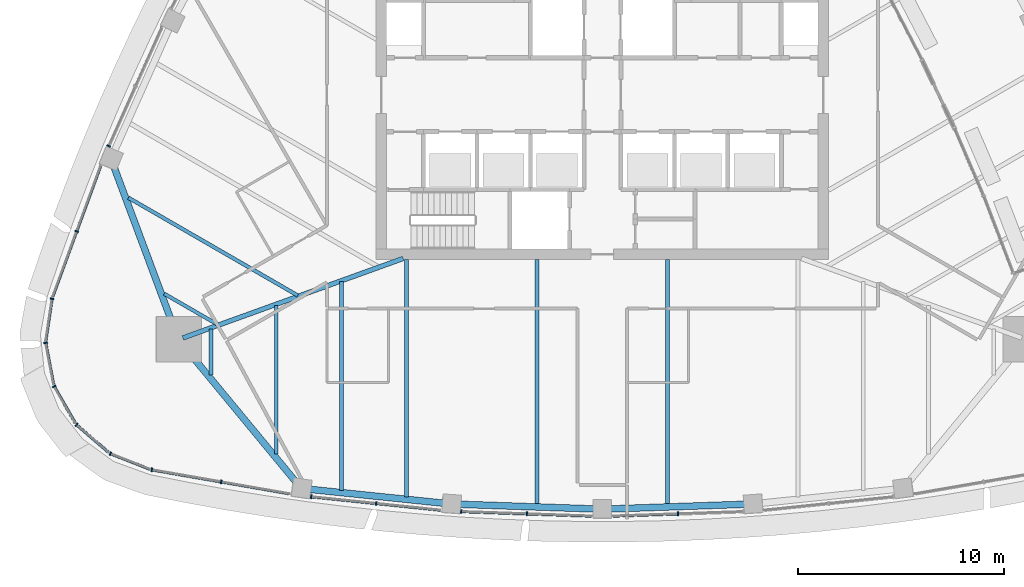
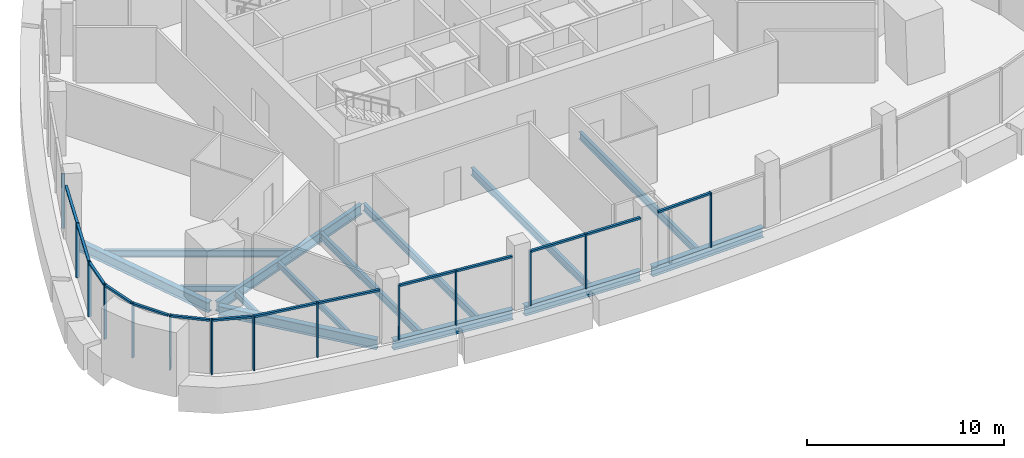
# One storey, part 2 of 18: 28 members, 14 beams, 11 elements without a shape of their own.
"""IFC4 building model written with IfcOpenShell, lengths in metres."""

from ifc_helpers import new_model, si_unit, direction, frame, origin, origin_2d, place, context, subcontext, project, spatial, rectangle, i_section, extrude, material, layer, layer_set, material_profile, profile_set, type_object, element, aggregate, save


model = new_model("IFC4")

# Units and contexts
model_context = context("Model", 3, precision=1e-05, world=origin(), true_north=direction((0.0, 1.0)))
body_context = subcontext(model_context, "Body", "Model", "MODEL_VIEW")
ifc_project = project(units=[si_unit("LENGTHUNIT", "METRE"), si_unit("AREAUNIT", "SQUARE_METRE"), si_unit("VOLUMEUNIT", "CUBIC_METRE"), si_unit("PLANEANGLEUNIT", "RADIAN"), si_unit("MASSUNIT", "GRAM", prefix="KILO")], contexts=[model_context])

# Site, building, storey
site_placement = place(None, origin())
site = spatial("IfcSite", under=ifc_project, at=site_placement, CompositionType="ELEMENT")
building_placement = place(site_placement, origin())
building = spatial("IfcBuilding", under=site, at=building_placement, Name="Sierra Prisma Convention Tower", CompositionType="ELEMENT")
storey_placement = place(building_placement, frame((0.0, 0.0, 291.0)))
storey = spatial("IfcBuildingStorey", under=building, at=storey_placement, Name="L66", CompositionType="ELEMENT", Elevation=291.0)

# Curtain wall, member
ifc_material_1 = material(Name="Aluminium and glass curtain wall", Category="aluminium")
ifc_layer = layer(ifc_material_1, 0.179931640625)
ifc_layer_set = layer_set([ifc_layer], Name="CW-1 Plain shaft curtain wall")
curtain_wall_type = type_object("IfcCurtainWallType", Name="CW-1 Plain shaft curtain wall", PredefinedType="NOTDEFINED", material=ifc_layer_set)
curtain_wall_1_placement = place(storey_placement, origin())
curtain_wall_1 = element("IfcCurtainWall", 1, at=curtain_wall_1_placement, inside=storey, type_object=curtain_wall_type, Name="CW-1 NW5 L66", PredefinedType="NOTDEFINED")
ifc_material_2 = material(Name="Aluminium 6063-T6 bronze anodised", Category="aluminium")
ifc_material_profile_1 = material_profile(ifc_material_2, rectangle(XDim=0.179931640625, YDim=0.070068359375, at=origin_2d()), Name="ALU MULLION 70x180")
ifc_profile_set_1 = profile_set([ifc_material_profile_1], Name="Aluminium 6063-T6 bronze anodised")
member_type_1 = type_object("IfcMemberType", Name="CW mullion bronze", PredefinedType="MULLION", material=ifc_profile_set_1)
member_1_placement = place(storey_placement, frame((-24.01171875, -2.49169921875, 0.0), z_axis=(0.0, 0.0, 1.0), x_axis=(0.912943253598, -0.408086529685, 0.0)))
member_1 = element("IfcMember", 2, at=member_1_placement, type_object=member_type_1, Name="CW-1 mullion NW5.3", PredefinedType="MULLION", context=body_context, shape_type="SweptSolid", body=[
    extrude(rectangle(XDim=0.179931640625, YDim=0.070068359375, at=origin_2d()), origin(), (0.0, 0.0, 1.0), 3.39990234375),
])
aggregate(curtain_wall_1, [member_1])

curtain_wall_2_placement = place(storey_placement, origin())
curtain_wall_2 = element("IfcCurtainWall", 3, at=curtain_wall_2_placement, inside=storey, type_object=curtain_wall_type, Name="CW-1 NW6 L66", PredefinedType="NOTDEFINED")
member_2_placement = place(storey_placement, frame((-25.5732421875, -6.6435546875, 0.0), z_axis=(0.0, 0.0, 1.0), x_axis=(0.938847191103, -0.344334069994, 0.0)))
member_2 = element("IfcMember", 4, at=member_2_placement, type_object=member_type_1, Name="CW-1 mullion NW6.2", PredefinedType="MULLION", context=body_context, shape_type="SweptSolid", body=[
    extrude(rectangle(XDim=0.179931640625, YDim=0.070068359375, at=origin_2d()), origin(), (0.0, 0.0, 1.0), 3.39990234375),
])

curtain_wall_3_placement = place(storey_placement, origin())
curtain_wall_3 = element("IfcCurtainWall", 5, at=curtain_wall_3_placement, inside=storey, type_object=curtain_wall_type, Name="CW-1 SW1 L66", PredefinedType="NOTDEFINED")
member_3_placement = place(storey_placement, frame((-26.769287109375, -9.925048828125, 0.0), z_axis=(0.0, 0.0, 1.0), x_axis=(0.988924081078, -0.14842224181, 0.0)))
member_3 = element("IfcMember", 6, at=member_3_placement, type_object=member_type_1, Name="CW-1 mullion SW1.1", PredefinedType="MULLION", context=body_context, shape_type="SweptSolid", body=[
    extrude(rectangle(XDim=0.179931640625, YDim=0.070068359375, at=origin_2d()), origin(), (0.0, 0.0, 1.0), 3.39990234375),
])

curtain_wall_4_placement = place(storey_placement, origin())
curtain_wall_4 = element("IfcCurtainWall", 7, at=curtain_wall_4_placement, inside=storey, type_object=curtain_wall_type, Name="CW-1 SW2 L66", PredefinedType="NOTDEFINED")
member_4_placement = place(storey_placement, frame((-27.07861328125, -12.064453125, 0.0), z_axis=(0.0, 0.0, 1.0), x_axis=(0.982508141831, 0.186219631717, 0.0)))
member_4 = element("IfcMember", 8, at=member_4_placement, type_object=member_type_1, Name="CW-1 mullion SW2.1", PredefinedType="MULLION", context=body_context, shape_type="SweptSolid", body=[
    extrude(rectangle(XDim=0.179931640625, YDim=0.070068359375, at=origin_2d()), origin(), (0.0, 0.0, 1.0), 3.39990234375),
])

curtain_wall_5_placement = place(storey_placement, origin())
curtain_wall_5 = element("IfcCurtainWall", 9, at=curtain_wall_5_placement, inside=storey, type_object=curtain_wall_type, Name="CW-1 SW3 L66", PredefinedType="NOTDEFINED")
member_5_placement = place(storey_placement, frame((-26.664794921875, -14.186279296875, 0.0), z_axis=(0.0, 0.0, 1.0), x_axis=(0.866025403784, 0.5, 0.0)))
member_5 = element("IfcMember", 10, at=member_5_placement, type_object=member_type_1, Name="CW-1 mullion SW3.1", PredefinedType="MULLION", context=body_context, shape_type="SweptSolid", body=[
    extrude(rectangle(XDim=0.179931640625, YDim=0.070068359375, at=origin_2d()), origin(), (0.0, 0.0, 1.0), 3.39990234375),
])

curtain_wall_6_placement = place(storey_placement, origin())
curtain_wall_6 = element("IfcCurtainWall", 11, at=curtain_wall_6_placement, inside=storey, type_object=curtain_wall_type, Name="CW-1 SW4 L66", PredefinedType="NOTDEFINED")
member_6_placement = place(storey_placement, frame((-25.573974609375, -16.052490234375, 0.0), z_axis=(0.0, 0.0, 1.0), x_axis=(0.652525002665, 0.757767194392, 0.0)))
member_6 = element("IfcMember", 12, at=member_6_placement, type_object=member_type_1, Name="CW-1 mullion SW4.1", PredefinedType="MULLION", context=body_context, shape_type="SweptSolid", body=[
    extrude(rectangle(XDim=0.179931640625, YDim=0.070068359375, at=origin_2d()), origin(), (0.0, 0.0, 1.0), 3.39990234375),
])

curtain_wall_7_placement = place(storey_placement, origin())
curtain_wall_7 = element("IfcCurtainWall", 13, at=curtain_wall_7_placement, inside=storey, type_object=curtain_wall_type, Name="CW-1 SW5 L66", PredefinedType="NOTDEFINED")
member_7_placement = place(storey_placement, frame((-23.928466796875, -17.454345703125, 0.0), z_axis=(0.0, 0.0, 1.0), x_axis=(0.365924608645, 0.930644497533, 0.0)))
member_7 = element("IfcMember", 14, at=member_7_placement, type_object=member_type_1, Name="CW-1 mullion SW5.1", PredefinedType="MULLION", context=body_context, shape_type="SweptSolid", body=[
    extrude(rectangle(XDim=0.179931640625, YDim=0.070068359375, at=origin_2d()), origin(), (0.0, 0.0, 1.0), 3.39990234375),
])

# Curtain wall, members
curtain_wall_8_placement = place(storey_placement, origin())
curtain_wall_8 = element("IfcCurtainWall", 15, at=curtain_wall_8_placement, inside=storey, type_object=curtain_wall_type, Name="CW-1 S1 L66", PredefinedType="NOTDEFINED")
member_8_placement = place(storey_placement, frame((-21.912841796875, -18.2392578125, 0.0), z_axis=(0.0, 0.0, 1.0), x_axis=(0.171221543548, 0.985232552764, 0.0)))
member_8 = element("IfcMember", 16, at=member_8_placement, type_object=member_type_1, Name="CW-1 mullion S1.1", PredefinedType="MULLION", context=body_context, shape_type="SweptSolid", body=[
    extrude(rectangle(XDim=0.179931640625, YDim=0.070068359375, at=origin_2d()), origin(), (0.0, 0.0, 1.0), 3.39990234375),
])
member_9_placement = place(storey_placement, frame((-18.540283203125, -18.8251953125, 0.0), z_axis=(0.0, 0.0, 1.0), x_axis=(0.171221543548, 0.985232552764, 0.0)))
member_9 = element("IfcMember", 17, at=member_9_placement, type_object=member_type_1, Name="CW-1 mullion S1.2", PredefinedType="MULLION", context=body_context, shape_type="SweptSolid", body=[
    extrude(rectangle(XDim=0.179931640625, YDim=0.070068359375, at=origin_2d()), origin(), (0.0, 0.0, 1.0), 3.39990234375),
])

curtain_wall_9_placement = place(storey_placement, origin())
curtain_wall_9 = element("IfcCurtainWall", 18, at=curtain_wall_9_placement, inside=storey, type_object=curtain_wall_type, Name="CW-1 S2 L66", PredefinedType="NOTDEFINED")
member_10_placement = place(storey_placement, frame((-14.163818359375, -19.549072265625, 0.0), z_axis=(0.0, 0.0, 1.0), x_axis=(0.10305832515, 0.994675314672, 0.0)))
member_10 = element("IfcMember", 19, at=member_10_placement, type_object=member_type_1, Name="CW-1 mullion S2.1", PredefinedType="MULLION", context=body_context, shape_type="SweptSolid", body=[
    extrude(rectangle(XDim=0.179931640625, YDim=0.070068359375, at=origin_2d()), origin(), (0.0, 0.0, 1.0), 3.39990234375),
])
member_11_placement = place(storey_placement, frame((-11.004150390625, -19.876220703125, 0.0), z_axis=(0.0, 0.0, 1.0), x_axis=(0.10305832515, 0.994675314672, 0.0)))
member_11 = element("IfcMember", 20, at=member_11_placement, type_object=member_type_1, Name="CW-1 mullion S2.2", PredefinedType="MULLION", context=body_context, shape_type="SweptSolid", body=[
    extrude(rectangle(XDim=0.179931640625, YDim=0.070068359375, at=origin_2d()), origin(), (0.0, 0.0, 1.0), 3.39990234375),
])

curtain_wall_10_placement = place(storey_placement, origin())
curtain_wall_10 = element("IfcCurtainWall", 21, at=curtain_wall_10_placement, inside=storey, type_object=curtain_wall_type, Name="CW-1 S3 L66", PredefinedType="NOTDEFINED")
member_12_placement = place(storey_placement, frame((-6.865478515625, -20.270751953125, 0.0), z_axis=(0.0, 0.0, 1.0), x_axis=(0.03440708538, 0.999407900947, 0.0)))
member_12 = element("IfcMember", 22, at=member_12_placement, type_object=member_type_1, Name="CW-1 mullion S3.1", PredefinedType="MULLION", context=body_context, shape_type="SweptSolid", body=[
    extrude(rectangle(XDim=0.179931640625, YDim=0.070068359375, at=origin_2d()), origin(), (0.0, 0.0, 1.0), 3.39990234375),
])
member_13_placement = place(storey_placement, frame((-3.675048828125, -20.380615234375, 0.0), z_axis=(0.0, 0.0, 1.0), x_axis=(0.03440708538, 0.999407900947, 0.0)))
member_13 = element("IfcMember", 23, at=member_13_placement, type_object=member_type_1, Name="CW-1 mullion S3.2", PredefinedType="MULLION", context=body_context, shape_type="SweptSolid", body=[
    extrude(rectangle(XDim=0.179931640625, YDim=0.070068359375, at=origin_2d()), origin(), (0.0, 0.0, 1.0), 3.39990234375),
])

# Curtain wall, member
curtain_wall_11_placement = place(storey_placement, origin())
curtain_wall_11 = element("IfcCurtainWall", 24, at=curtain_wall_11_placement, inside=storey, type_object=curtain_wall_type, Name="CW-1 S4 L66", PredefinedType="NOTDEFINED")
member_14_placement = place(storey_placement, frame((3.675048828125, -20.380615234375, 0.0), z_axis=(0.0, 0.0, 1.0), x_axis=(-0.03440708538, 0.999407900947, 0.0)))
member_14 = element("IfcMember", 25, at=member_14_placement, type_object=member_type_1, Name="CW-1 mullion S4.2", PredefinedType="MULLION", context=body_context, shape_type="SweptSolid", body=[
    extrude(rectangle(XDim=0.179931640625, YDim=0.070068359375, at=origin_2d()), origin(), (0.0, 0.0, 1.0), 3.39990234375),
])

# Member
ifc_material_3 = material(Name="Aluminium 6063-T6 bronze anodised", Category="aluminium")
ifc_material_profile_2 = material_profile(ifc_material_3, rectangle(XDim=0.139892578125, YDim=0.1201171875, at=origin_2d()), Name="ALU TRANSOM 120x140")
ifc_profile_set_2 = profile_set([ifc_material_profile_2], Name="Aluminium 6063-T6 bronze anodised")
member_type_2 = type_object("IfcMemberType", Name="CW transom bronze", PredefinedType="USERDEFINED", material=ifc_profile_set_2)
member_15_placement = place(storey_placement, frame((-24.406494140625, -3.462646484375, 3.340087890625), z_axis=(-0.344372305489, -0.938833166868, 0.0), x_axis=(0.938833166868, -0.344372305489, 0.0)))
member_15 = element("IfcMember", 26, at=member_15_placement, type_object=member_type_2, Name="CW-1 transom NW6.1", ObjectType="TRANSOM", PredefinedType="USERDEFINED", context=body_context, shape_type="SweptSolid", body=[
    extrude(rectangle(XDim=0.139892578125, YDim=0.1201171875, at=origin_2d()), origin(), (0.0, 0.0, 1.0), 3.353271484375),
])

member_16_placement = place(storey_placement, frame((-25.58544921875, -6.676513671875, 3.340087890625), z_axis=(-0.34430813132, -0.938856704033, 0.0), x_axis=(0.938856704033, -0.34430813132, 0.0)))
member_16 = element("IfcMember", 27, at=member_16_placement, type_object=member_type_2, Name="CW-1 transom NW6.2", ObjectType="TRANSOM", PredefinedType="USERDEFINED", context=body_context, shape_type="SweptSolid", body=[
    extrude(rectangle(XDim=0.139892578125, YDim=0.1201171875, at=origin_2d()), origin(), (0.0, 0.0, 1.0), 3.353271484375),
])

aggregate(curtain_wall_2, [member_2, member_15, member_16])

member_17_placement = place(storey_placement, frame((-26.7744140625, -9.959716796875, 3.340087890625), z_axis=(-0.148511533694, -0.988910675622, 0.0), x_axis=(0.988910675622, -0.148511533694, 0.0)))
member_17 = element("IfcMember", 28, at=member_17_placement, type_object=member_type_2, Name="CW-1 transom SW1.1", ObjectType="TRANSOM", PredefinedType="USERDEFINED", context=body_context, shape_type="SweptSolid", body=[
    extrude(rectangle(XDim=0.139892578125, YDim=0.1201171875, at=origin_2d()), origin(), (0.0, 0.0, 1.0), 2.023681640625),
])

aggregate(curtain_wall_3, [member_3, member_17])

member_18_placement = place(storey_placement, frame((-27.072265625, -12.098876953125, 3.340087890625), z_axis=(0.186269401314, -0.982498707447, 0.0), x_axis=(0.982498707447, 0.186269401314, 0.0)))
member_18 = element("IfcMember", 29, at=member_18_placement, type_object=member_type_2, Name="CW-1 transom SW2.1", ObjectType="TRANSOM", PredefinedType="USERDEFINED", context=body_context, shape_type="SweptSolid", body=[
    extrude(rectangle(XDim=0.139892578125, YDim=0.1201171875, at=origin_2d()), origin(), (0.0, 0.0, 1.0), 2.023681640625),
])

aggregate(curtain_wall_4, [member_4, member_18])

member_19_placement = place(storey_placement, frame((-26.647216796875, -14.216552734375, 3.340087890625), z_axis=(0.499980071345, -0.866036909293, 0.0), x_axis=(0.866036909293, 0.499980071345, 0.0)))
member_19 = element("IfcMember", 30, at=member_19_placement, type_object=member_type_2, Name="CW-1 transom SW3.1", ObjectType="TRANSOM", PredefinedType="USERDEFINED", context=body_context, shape_type="SweptSolid", body=[
    extrude(rectangle(XDim=0.139892578125, YDim=0.1201171875, at=origin_2d()), origin(), (0.0, 0.0, 1.0), 2.0234375),
])

aggregate(curtain_wall_5, [member_5, member_19])

member_20_placement = place(storey_placement, frame((-25.54736328125, -16.0751953125, 3.340087890625), z_axis=(0.757695882419, -0.652607807007, 0.0), x_axis=(0.652607807007, 0.757695882419, 0.0)))
member_20 = element("IfcMember", 31, at=member_20_placement, type_object=member_type_2, Name="CW-1 transom SW4.1", ObjectType="TRANSOM", PredefinedType="USERDEFINED", context=body_context, shape_type="SweptSolid", body=[
    extrude(rectangle(XDim=0.139892578125, YDim=0.1201171875, at=origin_2d()), origin(), (0.0, 0.0, 1.0), 2.0234375),
])

aggregate(curtain_wall_6, [member_6, member_20])

member_21_placement = place(storey_placement, frame((-23.895751953125, -17.467041015625, 3.340087890625), z_axis=(0.930632653175, -0.365954730595, 0.0), x_axis=(0.365954730595, 0.930632653175, 0.0)))
member_21 = element("IfcMember", 32, at=member_21_placement, type_object=member_type_2, Name="CW-1 transom SW5.1", ObjectType="TRANSOM", PredefinedType="USERDEFINED", context=body_context, shape_type="SweptSolid", body=[
    extrude(rectangle(XDim=0.139892578125, YDim=0.1201171875, at=origin_2d()), origin(), (0.0, 0.0, 1.0), 2.0234375),
])

aggregate(curtain_wall_7, [member_7, member_21])

member_22_placement = place(storey_placement, frame((-21.87841796875, -18.2451171875, 3.340087890625), z_axis=(0.985228849618, -0.171242850599, 0.0), x_axis=(0.171242850599, 0.985228849618, 0.0)))
member_22 = element("IfcMember", 33, at=member_22_placement, type_object=member_type_2, Name="CW-1 transom S1.1", ObjectType="TRANSOM", PredefinedType="USERDEFINED", context=body_context, shape_type="SweptSolid", body=[
    extrude(rectangle(XDim=0.139892578125, YDim=0.1201171875, at=origin_2d()), origin(), (0.0, 0.0, 1.0), 3.353271484375),
])

member_23_placement = place(storey_placement, frame((-18.505615234375, -18.831298828125, 3.340087890625), z_axis=(0.985228849618, -0.171242850599, 0.0), x_axis=(0.171242850599, 0.985228849618, 0.0)))
member_23 = element("IfcMember", 34, at=member_23_placement, type_object=member_type_2, Name="CW-1 transom S1.2", ObjectType="TRANSOM", PredefinedType="USERDEFINED", context=body_context, shape_type="SweptSolid", body=[
    extrude(rectangle(XDim=0.139892578125, YDim=0.1201171875, at=origin_2d()), origin(), (0.0, 0.0, 1.0), 3.353271484375),
])

aggregate(curtain_wall_8, [member_8, member_9, member_22, member_23])

member_24_placement = place(storey_placement, frame((-14.12890625, -19.552490234375, 3.340087890625), z_axis=(0.994669579808, -0.103113660612, 0.0), x_axis=(0.103113660612, 0.994669579808, 0.0)))
member_24 = element("IfcMember", 35, at=member_24_placement, type_object=member_type_2, Name="CW-1 transom S2.1", ObjectType="TRANSOM", PredefinedType="USERDEFINED", context=body_context, shape_type="SweptSolid", body=[
    extrude(rectangle(XDim=0.139892578125, YDim=0.1201171875, at=origin_2d()), origin(), (0.0, 0.0, 1.0), 3.1064453125),
])

member_25_placement = place(storey_placement, frame((-10.969482421875, -19.8798828125, 3.340087890625), z_axis=(0.994670415341, -0.103105600453, 0.0), x_axis=(0.103105600453, 0.994670415341, 0.0)))
member_25 = element("IfcMember", 36, at=member_25_placement, type_object=member_type_2, Name="CW-1 transom S2.2", ObjectType="TRANSOM", PredefinedType="USERDEFINED", context=body_context, shape_type="SweptSolid", body=[
    extrude(rectangle(XDim=0.139892578125, YDim=0.1201171875, at=origin_2d()), origin(), (0.0, 0.0, 1.0), 3.106689453125),
])

aggregate(curtain_wall_9, [member_10, member_11, member_24, member_25])

member_26_placement = place(storey_placement, frame((-6.83056640625, -20.27197265625, 3.340087890625), z_axis=(0.999408040533, -0.034403030655, 0.0), x_axis=(0.034403030655, 0.999408040533, 0.0)))
member_26 = element("IfcMember", 37, at=member_26_placement, type_object=member_type_2, Name="CW-1 transom S3.1", ObjectType="TRANSOM", PredefinedType="USERDEFINED", context=body_context, shape_type="SweptSolid", body=[
    extrude(rectangle(XDim=0.139892578125, YDim=0.1201171875, at=origin_2d()), origin(), (0.0, 0.0, 1.0), 3.12255859375),
])

member_27_placement = place(storey_placement, frame((-3.64013671875, -20.3818359375, 3.340087890625), z_axis=(0.99940794798, -0.034405719201, 0.0), x_axis=(0.034405719201, 0.99940794798, 0.0)))
member_27 = element("IfcMember", 38, at=member_27_placement, type_object=member_type_2, Name="CW-1 transom S3.2", ObjectType="TRANSOM", PredefinedType="USERDEFINED", context=body_context, shape_type="SweptSolid", body=[
    extrude(rectangle(XDim=0.139892578125, YDim=0.1201171875, at=origin_2d()), origin(), (0.0, 0.0, 1.0), 3.122314453125),
])

aggregate(curtain_wall_10, [member_12, member_13, member_26, member_27])

member_28_placement = place(storey_placement, frame((0.519775390625, -20.4892578125, 3.340087890625), z_axis=(0.99940794798, 0.034405719201, 0.0), x_axis=(-0.034405719201, 0.99940794798, 0.0)))
member_28 = element("IfcMember", 39, at=member_28_placement, type_object=member_type_2, Name="CW-1 transom S4.1", ObjectType="TRANSOM", PredefinedType="USERDEFINED", context=body_context, shape_type="SweptSolid", body=[
    extrude(rectangle(XDim=0.139892578125, YDim=0.1201171875, at=origin_2d()), origin(), (0.0, 0.0, 1.0), 3.122314453125),
])

aggregate(curtain_wall_11, [member_14, member_28])

# Beams
ifc_material_4 = material(Name="Steel ASTM A992 Gr 50", Category="steel")
ifc_material_profile_3 = material_profile(ifc_material_4, i_section(OverallWidth=0.172119140625, OverallDepth=0.35791015625, WebThickness=0.0078125, FlangeThickness=0.01318359375, at=origin_2d()), Name="W360x57")
ifc_profile_set_3 = profile_set([ifc_material_profile_3], Name="Steel ASTM A992 Gr 50")
beam_type_1 = type_object("IfcBeamType", Name="Floor joist W360x57", PredefinedType="JOIST", material=ifc_profile_set_3)
beam_1_placement = place(storey_placement, frame((-19.035888671875, -13.621826171875, -0.3291015625), z_axis=(0.0, 1.0, 0.0), x_axis=(-1.0, 0.0, 0.0)))
element("IfcBeam", 40, at=beam_1_placement, inside=storey, type_object=beam_type_1, Name="Floor joist L66 S01", PredefinedType="JOIST", context=body_context, shape_type="SweptSolid", body=[
    extrude(i_section(OverallWidth=0.172119140625, OverallDepth=0.35791015625, WebThickness=0.0078125, FlangeThickness=0.01318359375, at=origin_2d()), origin(), (0.0, 0.0, 1.0), 2.2392578125),
])
beam_2_placement = place(storey_placement, frame((-15.86328125, -17.46337890625, -0.3291015625), z_axis=(0.0, 1.0, 0.0), x_axis=(-1.0, 0.0, 0.0)))
element("IfcBeam", 41, at=beam_2_placement, inside=storey, type_object=beam_type_1, Name="Floor joist L66 S02", PredefinedType="JOIST", context=body_context, shape_type="SweptSolid", body=[
    extrude(i_section(OverallWidth=0.172119140625, OverallDepth=0.35791015625, WebThickness=0.0078125, FlangeThickness=0.01318359375, at=origin_2d()), origin(), (0.0, 0.0, 1.0), 7.22607421875),
])
beam_3_placement = place(storey_placement, frame((-21.314697265625, -9.674560546875, -0.3291015625), z_axis=(0.866021254674, -0.500007186402, 0.0), x_axis=(0.500007186402, 0.866021254674, 0.0)))
element("IfcBeam", 42, at=beam_3_placement, inside=storey, type_object=beam_type_1, Name="Floor joist L66 NW13", PredefinedType="JOIST", context=body_context, shape_type="SweptSolid", body=[
    extrude(i_section(OverallWidth=0.172119140625, OverallDepth=0.35791015625, WebThickness=0.0078125, FlangeThickness=0.01318359375, at=origin_2d()), origin(), (0.0, 0.0, 1.0), 2.99365234375),
])
ifc_material_5 = material(Name="Steel ASTM A992 Gr 50", Category="steel")
ifc_material_profile_4 = material_profile(ifc_material_5, i_section(OverallWidth=0.177978515625, OverallDepth=0.406982421875, WebThickness=0.0078125, FlangeThickness=0.0126953125, at=origin_2d()), Name="W410x60")
ifc_profile_set_4 = profile_set([ifc_material_profile_4], Name="Steel ASTM A992 Gr 50")
beam_type_2 = type_object("IfcBeamType", Name="Floor joist W410x60", PredefinedType="JOIST", material=ifc_profile_set_4)
beam_4_placement = place(storey_placement, frame((-23.055419921875, -5.006103515625, -0.353515625), z_axis=(0.866024879027, -0.500000908906, 0.0), x_axis=(0.500000908906, 0.866024879027, 0.0)))
element("IfcBeam", 43, at=beam_4_placement, inside=storey, type_object=beam_type_2, Name="Floor joist L66 NW12", PredefinedType="JOIST", context=body_context, shape_type="SweptSolid", body=[
    extrude(i_section(OverallWidth=0.177978515625, OverallDepth=0.406982421875, WebThickness=0.0078125, FlangeThickness=0.0126953125, at=origin_2d()), origin(), (0.0, 0.0, 1.0), 9.51220703125),
])
ifc_material_6 = material(Name="Steel ASTM A992 Gr 50", Category="steel")
ifc_material_profile_5 = material_profile(ifc_material_6, i_section(OverallWidth=0.18994140625, OverallDepth=0.45703125, WebThickness=0.009033203125, FlangeThickness=0.014404296875, at=origin_2d()), Name="W460x74")
ifc_profile_set_5 = profile_set([ifc_material_profile_5], Name="Steel ASTM A992 Gr 50")
beam_type_3 = type_object("IfcBeamType", Name="Floor joist W460x74", PredefinedType="JOIST", material=ifc_profile_set_5)
beam_5_placement = place(storey_placement, frame((-12.6904296875, -19.236572265625, -0.37841796875), z_axis=(0.0, 1.0, 0.0), x_axis=(-1.0, 0.0, 0.0)))
element("IfcBeam", 44, at=beam_5_placement, inside=storey, type_object=beam_type_3, Name="Floor joist L66 S03", PredefinedType="JOIST", context=body_context, shape_type="SweptSolid", body=[
    extrude(i_section(OverallWidth=0.18994140625, OverallDepth=0.45703125, WebThickness=0.009033203125, FlangeThickness=0.014404296875, at=origin_2d()), origin(), (0.0, 0.0, 1.0), 10.144287109375),
])
beam_6_placement = place(storey_placement, frame((-9.517822265625, -19.565185546875, -0.37841796875), z_axis=(0.0, 1.0, 0.0), x_axis=(-1.0, 0.0, 0.0)))
element("IfcBeam", 45, at=beam_6_placement, inside=storey, type_object=beam_type_3, Name="Floor joist L66 S04", PredefinedType="JOIST", context=body_context, shape_type="SweptSolid", body=[
    extrude(i_section(OverallWidth=0.18994140625, OverallDepth=0.45703125, WebThickness=0.009033203125, FlangeThickness=0.014404296875, at=origin_2d()), origin(), (0.0, 0.0, 1.0), 11.565185546875),
])
for number, where, z_axis, x_axis, name in (
    (46, (-3.172607421875, -19.935302734375, -0.37841796875), (0.0, 1.0, 0.0), (-1.0, 0.0, 0.0), "Floor joist L66 S06"),
    (47, (3.172607421875, -19.935302734375, -0.37841796875), (0.0, 1.0, 0.0), (-1.0, 0.0, 0.0), "Floor joist L66 S08"),
):
    element("IfcBeam", number, at=place(storey_placement, frame(where, z_axis=z_axis, x_axis=x_axis)), inside=storey, type_object=beam_type_3, Name=name, PredefinedType="JOIST", context=body_context, shape_type="SweptSolid", body=[
        extrude(i_section(OverallWidth=0.18994140625, OverallDepth=0.45703125, WebThickness=0.009033203125, FlangeThickness=0.014404296875, at=origin_2d()), origin(), (0.0, 0.0, 1.0), 11.935302734375),
    ])
ifc_material_7 = material(Name="Steel ASTM A992 Gr 50", Category="steel")
ifc_material_profile_6 = material_profile(ifc_material_7, i_section(OverallWidth=0.22998046875, OverallDepth=0.616943359375, WebThickness=0.01318359375, FlangeThickness=0.022216796875, at=origin_2d()), Name="W610x140")
ifc_profile_set_6 = profile_set([ifc_material_profile_6], Name="Steel ASTM A992 Gr 50")
beam_type_4 = type_object("IfcBeamType", Name="Radial girder W610x140", PredefinedType="BEAM", material=ifc_profile_set_6)
beam_7_placement = place(storey_placement, frame((-20.402099609375, -11.826904296875, -0.45849609375), z_axis=(0.940600483911, 0.339515433619, 0.0), x_axis=(-0.339515433619, 0.940600483911, 0.0)))
element("IfcBeam", 48, at=beam_7_placement, inside=storey, type_object=beam_type_4, Name="Radial girder L66 SW", PredefinedType="BEAM", context=body_context, shape_type="SweptSolid", body=[
    extrude(i_section(OverallWidth=0.22998046875, OverallDepth=0.616943359375, WebThickness=0.01318359375, FlangeThickness=0.022216796875, at=origin_2d()), origin(), (0.0, 0.0, 1.0), 11.391845703125),
])
ifc_material_8 = material(Name="Steel ASTM A992 Gr 50", Category="steel")
ifc_material_profile_7 = material_profile(ifc_material_8, i_section(OverallWidth=0.324951171875, OverallDepth=0.615966796875, WebThickness=0.013916015625, FlangeThickness=0.021484375, at=origin_2d()), Name="W610x174")
ifc_profile_set_7 = profile_set([ifc_material_profile_7], Name="Steel ASTM A992 Gr 50")
beam_type_5 = type_object("IfcBeamType", Name="Spandrel beam W610x174", PredefinedType="BEAM", material=ifc_profile_set_7)
beam_8_placement = place(storey_placement, frame((-20.4404296875, -12.126220703125, -0.4580078125), z_axis=(0.636766467072, -0.771056720619, 0.0), x_axis=(0.771056720619, 0.636766467072, 0.0)))
element("IfcBeam", 49, at=beam_8_placement, inside=storey, type_object=beam_type_5, Name="Spandrel L66-01", PredefinedType="BEAM", context=body_context, shape_type="SweptSolid", body=[
    extrude(i_section(OverallWidth=0.324951171875, OverallDepth=0.615966796875, WebThickness=0.013916015625, FlangeThickness=0.021484375, at=origin_2d()), origin(), (0.0, 0.0, 1.0), 8.615478515625),
])
for number, where, z_axis, x_axis, name in (
    (50, (-14.31298828125, -19.181884765625, -0.4580078125), (0.994677469853, -0.103037522131, 0.0), (0.103037522131, 0.994677469853, 0.0), "Spandrel L66-02"),
    (51, (-7.008056640625, -19.915771484375, -0.4580078125), (0.999407517159, -0.034418231315, 0.0), (0.034418231315, 0.999407517159, 0.0), "Spandrel L66-03"),
    (52, (0.330078125, -20.145751953125, -0.4580078125), (0.999407517159, 0.034418231315, 0.0), (-0.034418231315, 0.999407517159, 0.0), "Spandrel L66-04"),
):
    element("IfcBeam", number, at=place(storey_placement, frame(where, z_axis=z_axis, x_axis=x_axis)), inside=storey, type_object=beam_type_5, Name=name, PredefinedType="BEAM", context=body_context, shape_type="SweptSolid", body=[
        extrude(i_section(OverallWidth=0.324951171875, OverallDepth=0.615966796875, WebThickness=0.013916015625, FlangeThickness=0.021484375, at=origin_2d()), origin(), (0.0, 0.0, 1.0), 6.681884765625),
    ])
beam_9_placement = place(storey_placement, frame((-23.731689453125, -3.566162109375, -0.4580078125), z_axis=(0.349356877904, -0.936989739464, 0.0), x_axis=(0.936989739464, 0.349356877904, 0.0)))
element("IfcBeam", 53, at=beam_9_placement, inside=storey, type_object=beam_type_5, Name="Spandrel L66-18", PredefinedType="BEAM", context=body_context, shape_type="SweptSolid", body=[
    extrude(i_section(OverallWidth=0.324951171875, OverallDepth=0.615966796875, WebThickness=0.013916015625, FlangeThickness=0.021484375, at=origin_2d()), origin(), (0.0, 0.0, 1.0), 8.666259765625),
])

save(model, "model.ifc")
